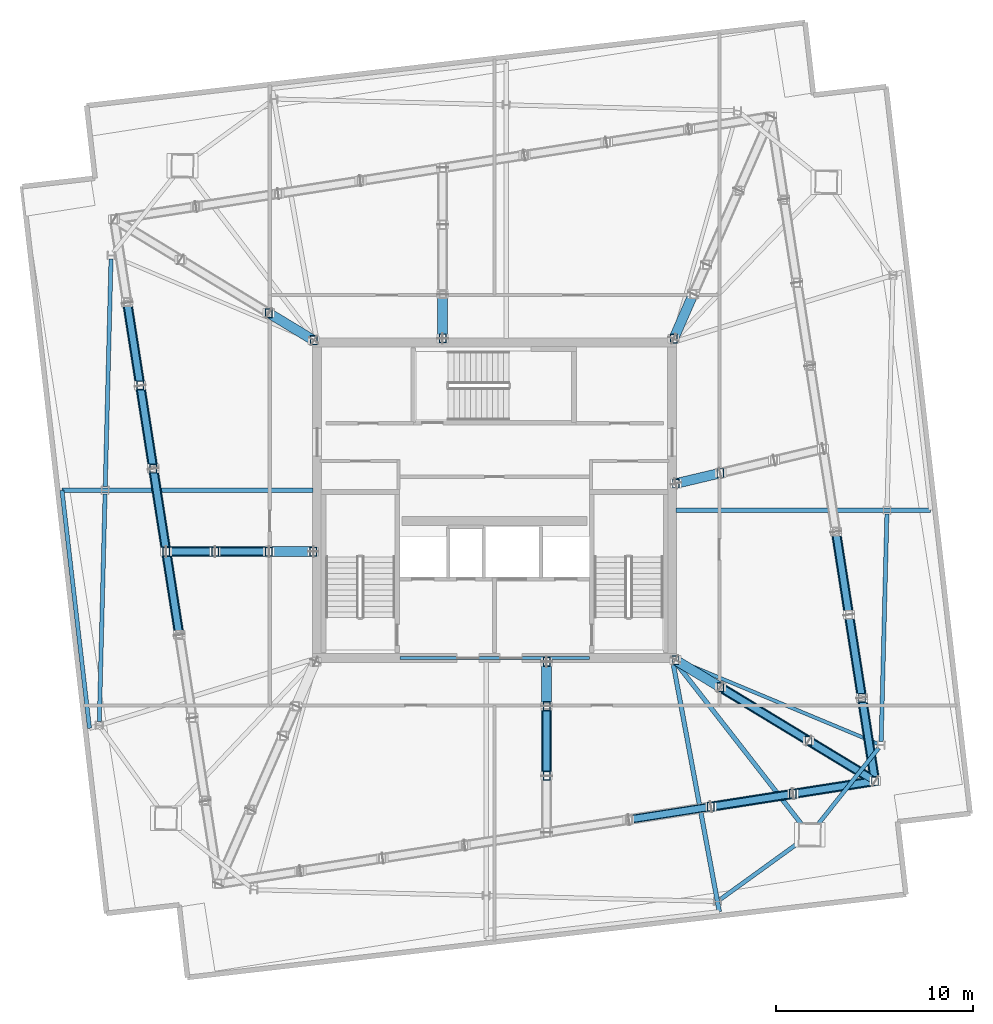
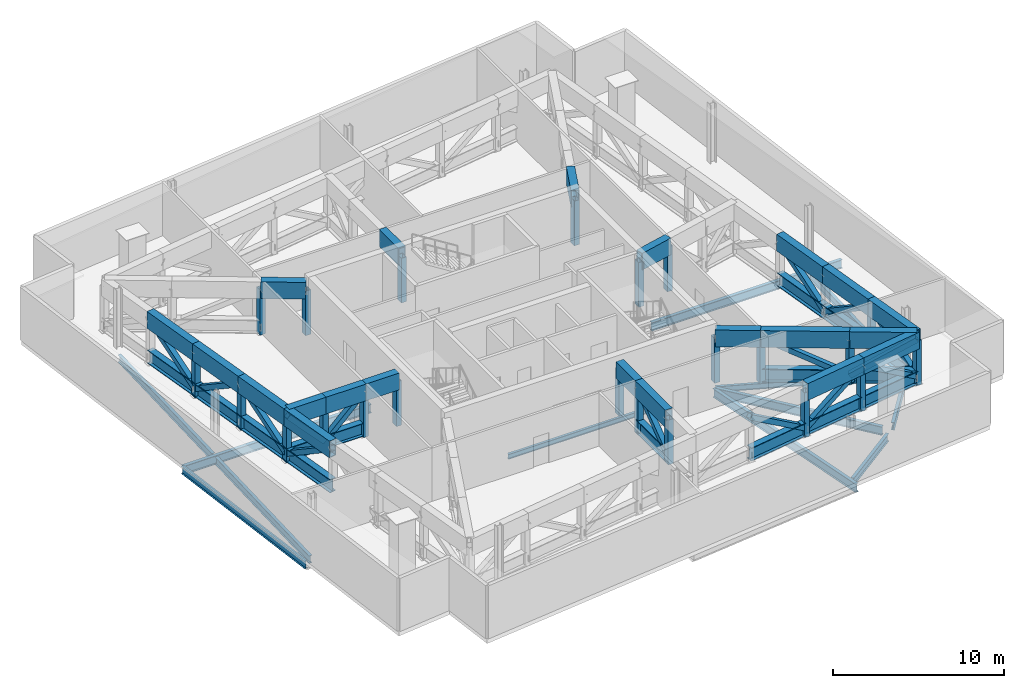
# One storey, part 2 of 13: 73 members, 12 beams.
"""IFC4 building model written with IfcOpenShell, lengths in metres."""

import ifcopenshell
import ifcopenshell.guid

model = None  # the IFC model being written
_history = None  # IfcOwnerHistory: only IFC2X3 demands one
_inside = {}  # id of a spatial element -> (the spatial element, [elements in it])
_under = {}  # id of a project, library or spatial element -> (it, [spatial elements below it])
_declared = {}  # id of a project -> (the project, [libraries it declares])
_typed = {}  # id of a type object -> (the type object, [elements of that type])
_made_of = {}  # id of a material, layer set ... -> (it, [elements and type objects made of it])


def new_model(schema):
    """Start an empty IFC model of exactly this schema.

    Asked for "IFC4X3", IfcOpenShell would pick the latest addendum, in which some entities
    have other attributes; the version numbers below select the first issue.
    IFC2X3 requires an IfcOwnerHistory on every rooted entity: one is made here for all.
    """
    global model, _history
    if schema == "IFC4X3":
        model = ifcopenshell.file(schema_version=(4, 3, 0, 0))
    else:
        model = ifcopenshell.file(schema=schema)
    _inside.clear()
    _under.clear()
    _declared.clear()
    _typed.clear()
    _made_of.clear()
    _history = None
    if model.schema == "IFC2X3":
        org = make("IfcOrganization", Name="unknown")
        user = make(
            "IfcPersonAndOrganization",
            ThePerson=make("IfcPerson", FamilyName="unknown"),
            TheOrganization=org,
        )
        app = make(
            "IfcApplication",
            ApplicationDeveloper=org,
            Version="unknown",
            ApplicationFullName="unknown",
            ApplicationIdentifier="unknown",
        )
        _history = make(
            "IfcOwnerHistory",
            OwningUser=user,
            OwningApplication=app,
            ChangeAction="ADDED",
            CreationDate=0,
        )
    return model


def make(cls, **values):
    """One entity of the class cls with the attributes given. An attribute that is None is left unset."""
    return model.create_entity(
        cls, **{name: value for name, value in values.items() if value is not None}
    )


def rooted(cls, **values):
    """An entity with a GlobalId (a new one), such as an element, a storey or a relation."""
    return make(cls, GlobalId=ifcopenshell.guid.new(), OwnerHistory=_history, **values)


def si_unit(unit_type, name, prefix=None):
    """IfcSIUnit, for example si_unit("LENGTHUNIT", "METRE", prefix="MILLI")."""
    return make("IfcSIUnit", UnitType=unit_type, Prefix=prefix, Name=name)


def assignment(units):
    """IfcUnitAssignment: the units of a project."""
    return None if units is None else make("IfcUnitAssignment", Units=units)


def point(xyz):
    """IfcCartesianPoint."""
    return None if xyz is None else make("IfcCartesianPoint", Coordinates=xyz)


def direction(xyz):
    """IfcDirection."""
    return None if xyz is None else make("IfcDirection", DirectionRatios=xyz)


def frame(location, z_axis=None, x_axis=None):
    """IfcAxis2Placement3D, a coordinate frame: its origin and axes. An axis left out is left unset."""
    return make(
        "IfcAxis2Placement3D",
        Location=point(location),
        Axis=direction(z_axis),
        RefDirection=direction(x_axis),
    )


def frame_2d(location, x_axis=None):
    """IfcAxis2Placement2D, a coordinate frame in the plane: its origin and x axis."""
    return make(
        "IfcAxis2Placement2D", Location=point(location), RefDirection=direction(x_axis)
    )


def origin():
    """The frame at (0, 0, 0) with its axes left unset."""
    return frame((0.0, 0.0, 0.0))


def origin_2d():
    """The frame at (0, 0) in the plane with its x axis left unset."""
    return frame_2d((0.0, 0.0))


def place(relative_to, where):
    """IfcLocalPlacement: puts the frame where relative to a parent placement (None: the world)."""
    return make(
        "IfcLocalPlacement", PlacementRelTo=relative_to, RelativePlacement=where
    )


def context(
    kind, dimensions, precision=None, world=None, true_north=None, identifier=None
):
    """IfcGeometricRepresentationContext, for example the 3D "Model" context."""
    return make(
        "IfcGeometricRepresentationContext",
        ContextIdentifier=identifier,
        ContextType=kind,
        CoordinateSpaceDimension=dimensions,
        Precision=precision,
        WorldCoordinateSystem=world,
        TrueNorth=true_north,
    )


def subcontext(parent, identifier, kind, view, scale=None):
    """IfcGeometricRepresentationSubContext, for example "Body" below "Model"."""
    return make(
        "IfcGeometricRepresentationSubContext",
        ContextIdentifier=identifier,
        ContextType=kind,
        ParentContext=parent,
        TargetScale=scale,
        TargetView=view,
    )


def project(units=None, contexts=None):
    """IfcProject with its units and contexts."""
    return rooted(
        "IfcProject",
        Name="project",
        RepresentationContexts=contexts,
        UnitsInContext=assignment(units),
    )


def spatial(cls, under=None, at=None, **own):
    """A site, building, storey or space (cls), placed at a placement, below another one or the project."""
    s = rooted(cls, ObjectPlacement=at, **own)
    if under is not None:
        _under.setdefault(under.id(), (under, []))[1].append(s)
    return s


def profile(cls, at=None, kind="AREA", **sizes):
    """A parametric profile (cls). Its sizes go by their IFC names, for example OverallWidth=200.0."""
    return make(cls, ProfileType=kind, Position=at, **sizes)


def hollow_rectangle(**sizes):
    """IfcRectangleHollowProfileDef."""
    return profile("IfcRectangleHollowProfileDef", **sizes)


def i_section(**sizes):
    """IfcIShapeProfileDef."""
    return profile("IfcIShapeProfileDef", **sizes)


def extrude(swept, where, along, depth):
    """IfcExtrudedAreaSolid: the profile swept, set in the frame where, extruded along a direction by depth."""
    return make(
        "IfcExtrudedAreaSolid",
        SweptArea=swept,
        Position=where,
        ExtrudedDirection=direction(along),
        Depth=depth,
    )


def shape(context_of_items, identifier, shape_type, items):
    """IfcShapeRepresentation: the items that make up one representation, for example the "Body"."""
    return make(
        "IfcShapeRepresentation",
        ContextOfItems=context_of_items,
        RepresentationIdentifier=identifier,
        RepresentationType=shape_type,
        Items=items,
    )


def material(Name=None, Category=None):
    """IfcMaterial."""
    return make("IfcMaterial", Name=Name, Category=Category)


def material_profile(
    of_material, cross_section, Name=None, Category=None, Priority=None
):
    """IfcMaterialProfile: a cross section and its material."""
    return make(
        "IfcMaterialProfile",
        Name=Name,
        Material=of_material,
        Profile=cross_section,
        Priority=Priority,
        Category=Category,
    )


def profile_set(profiles, Name=None, composite=None):
    """IfcMaterialProfileSet."""
    return make(
        "IfcMaterialProfileSet",
        Name=Name,
        MaterialProfiles=profiles,
        CompositeProfile=composite,
    )


def made_of(thing, what):
    """Note that an element or type object is made of a material, layer set ...; save() writes the relation."""
    if what is not None:
        _made_of.setdefault(what.id(), (what, []))[1].append(thing)
    return thing


def type_object(cls, material=None, **own):
    """A type object (cls), such as IfcWallType, which elements share."""
    return made_of(rooted(cls, **own), material)


def element(
    cls,
    number,
    at=None,
    inside=None,
    cuts=None,
    type_object=None,
    material=None,
    context=None,
    identifier="Body",
    shape_type=None,
    held_by="IfcProductDefinitionShape",
    body=None,
    shapes=None,
    **own,
):
    """One element of the class cls, such as IfcWall. Its Tag is "e" and its number.

    at: its placement. inside: the storey or other place that contains it. cuts: it is an
    opening in that element (IfcRelVoidsElement). A single representation is given by context,
    identifier, shape_type and body (its items); several are given by shapes. held_by: the class
    of the entity that holds the representations. save() writes the other relations.
    """
    e = rooted(cls, Tag="e%d" % number, ObjectPlacement=at, **own)
    if body is not None:
        shapes = [shape(context, identifier, shape_type, body)]
    if shapes is not None:
        e.Representation = make(held_by, Representations=shapes)
    if inside is not None:
        _inside.setdefault(inside.id(), (inside, []))[1].append(e)
    if cuts is not None:
        rooted(
            "IfcRelVoidsElement", RelatingBuildingElement=cuts, RelatedOpeningElement=e
        )
    if type_object is not None:
        _typed.setdefault(type_object.id(), (type_object, []))[1].append(e)
    return made_of(e, material)


def aggregate(whole, parts):
    """IfcRelAggregates: a whole, such as a stair, and the parts it consists of."""
    return rooted("IfcRelAggregates", RelatingObject=whole, RelatedObjects=parts)


def save(model, path):
    """Write the relations noted so far, then the file.

    IfcRelAggregates (storeys below a building ...), IfcRelContainedInSpatialStructure (elements
    in a storey), IfcRelDefinesByType, IfcRelAssociatesMaterial and IfcRelDeclares: one each for
    every whole, place, type object, material and project.
    """
    for whole, parts in _under.values():
        aggregate(whole, parts)
    for where, things in _inside.values():
        rooted(
            "IfcRelContainedInSpatialStructure",
            RelatedElements=things,
            RelatingStructure=where,
        )
    for kind, things in _typed.values():
        rooted("IfcRelDefinesByType", RelatedObjects=things, RelatingType=kind)
    for what, things in _made_of.values():
        rooted("IfcRelAssociatesMaterial", RelatedObjects=things, RelatingMaterial=what)
    for by, libraries in _declared.values():
        rooted("IfcRelDeclares", RelatingContext=by, RelatedDefinitions=libraries)
    model.write(path)


model = new_model("IFC4")

# Units and contexts
model_context = context("Model", 3, precision=1e-05, world=origin(), true_north=direction((0.0, 1.0)))
body_context = subcontext(model_context, "Body", "Model", "MODEL_VIEW")
ifc_project = project(units=[si_unit("LENGTHUNIT", "METRE"), si_unit("AREAUNIT", "SQUARE_METRE"), si_unit("VOLUMEUNIT", "CUBIC_METRE"), si_unit("PLANEANGLEUNIT", "RADIAN"), si_unit("MASSUNIT", "GRAM", prefix="KILO")], contexts=[model_context])

# Site, building, storey
site_placement = place(None, origin())
site = spatial("IfcSite", under=ifc_project, at=site_placement, CompositionType="ELEMENT")
building_placement = place(site_placement, origin())
building = spatial("IfcBuilding", under=site, at=building_placement, Name="Haldenkirk Collegiate Tower", CompositionType="ELEMENT")
storey_placement = place(building_placement, frame((0.0, 0.0, 352.199951171875)))
storey = spatial("IfcBuildingStorey", under=building, at=storey_placement, Name="L89", CompositionType="ELEMENT", Elevation=352.199951171875)

# Beams
ifc_material_1 = material(Name="Steel ASTM A992 Grade 50", Category="steel")
ifc_material_profile_1 = material_profile(ifc_material_1, i_section(OverallWidth=0.22998046875, OverallDepth=0.616943359375, WebThickness=0.01318359375, FlangeThickness=0.022216796875, at=origin_2d()), Name="W24X94")
ifc_profile_set_1 = profile_set([ifc_material_profile_1], Name="Steel ASTM A992 Grade 50")
beam_type_1 = type_object("IfcBeamType", Name="BM-GIRDER-W24X94", PredefinedType="BEAM", material=ifc_profile_set_1)
beam_1_placement = place(storey_placement, frame((51.635009765625, 9.478271484375, -0.70849609375), z_axis=(-0.614347328176, 0.789035715518, 0.0), x_axis=(-0.789035715518, -0.614347328176, 0.0)))
element("IfcBeam", 1, at=beam_1_placement, inside=storey, type_object=beam_type_1, Name="L89 primary floor girder 01", PredefinedType="BEAM", context=body_context, shape_type="SweptSolid", body=[
    extrude(i_section(OverallWidth=0.22998046875, OverallDepth=0.616943359375, WebThickness=0.01318359375, FlangeThickness=0.022216796875, at=origin_2d()), origin(), (0.0, 0.0, 1.0), 10.594970703125),
])
beam_2_placement = place(storey_placement, frame((58.109375, 25.496337890625, -0.70849609375), z_axis=(-1.0, 0.0, 0.0), x_axis=(0.0, -1.0, 0.0)))
element("IfcBeam", 2, at=beam_2_placement, inside=storey, type_object=beam_type_1, Name="L89 primary floor girder 06", PredefinedType="BEAM", context=body_context, shape_type="SweptSolid", body=[
    extrude(i_section(OverallWidth=0.22998046875, OverallDepth=0.616943359375, WebThickness=0.01318359375, FlangeThickness=0.022216796875, at=origin_2d()), origin(), (0.0, 0.0, 1.0), 12.904296875),
])
beam_3_placement = place(storey_placement, frame((14.067138671875, 26.499755859375, -0.70849609375), z_axis=(1.0, 0.0, 0.0), x_axis=(0.0, 1.0, 0.0)))
element("IfcBeam", 3, at=beam_3_placement, inside=storey, type_object=beam_type_1, Name="L89 primary floor girder 12", PredefinedType="BEAM", context=body_context, shape_type="SweptSolid", body=[
    extrude(i_section(OverallWidth=0.22998046875, OverallDepth=0.616943359375, WebThickness=0.01318359375, FlangeThickness=0.022216796875, at=origin_2d()), origin(), (0.0, 0.0, 1.0), 12.727783203125),
])
beam_4_placement = place(storey_placement, frame((47.39306640625, 5.141357421875, -0.70849609375), z_axis=(-0.182955655708, 0.983121166512, 0.0), x_axis=(-0.983121166512, -0.182955655708, 0.0)))
element("IfcBeam", 4, at=beam_4_placement, inside=storey, type_object=beam_type_1, Name="L89 primary floor girder 16", PredefinedType="BEAM", context=body_context, shape_type="SweptSolid", body=[
    extrude(i_section(OverallWidth=0.22998046875, OverallDepth=0.616943359375, WebThickness=0.01318359375, FlangeThickness=0.022216796875, at=origin_2d()), origin(), (0.0, 0.0, 1.0), 12.87451171875),
])
ifc_material_profile_2 = material_profile(ifc_material_1, i_section(OverallWidth=0.177978515625, OverallDepth=0.406005859375, WebThickness=0.0078125, FlangeThickness=0.0126953125, at=origin_2d()), Name="W16X40")
ifc_profile_set_2 = profile_set([ifc_material_profile_2], Name="Steel ASTM A992 Grade 50")
beam_type_2 = type_object("IfcBeamType", Name="BM-JOIST-W16X40", PredefinedType="JOIST", material=ifc_profile_set_2)
beam_5_placement = place(storey_placement, frame((55.418701171875, 13.656494140625, -0.60302734375), z_axis=(-0.923001303889, 0.384796820438, 0.0), x_axis=(-0.384796820438, -0.923001303889, 0.0)))
element("IfcBeam", 5, at=beam_5_placement, inside=storey, type_object=beam_type_2, Name="L89 composite floor joist 05", PredefinedType="JOIST", context=body_context, shape_type="SweptSolid", body=[
    extrude(i_section(OverallWidth=0.177978515625, OverallDepth=0.406005859375, WebThickness=0.0078125, FlangeThickness=0.0126953125, at=origin_2d()), origin(), (0.0, 0.0, 1.0), 11.082763671875),
])
ifc_material_profile_3 = material_profile(ifc_material_1, i_section(OverallWidth=0.1708984375, OverallDepth=0.35595703125, WebThickness=0.007080078125, FlangeThickness=0.01171875, at=origin_2d()), Name="W14X34")
ifc_profile_set_3 = profile_set([ifc_material_profile_3], Name="Steel ASTM A992 Grade 50")
beam_type_3 = type_object("IfcBeamType", Name="BM-LINTEL-W14X34", PredefinedType="LINTEL", material=ifc_profile_set_3)
beam_6_placement = place(storey_placement, frame((31.199951171875, 18.0, -0.577880859375), z_axis=(1.0, 0.0, 0.0), x_axis=(0.0, 1.0, 0.0)))
element("IfcBeam", 6, at=beam_6_placement, inside=storey, type_object=beam_type_3, Name="L89 south core coupling lintel", PredefinedType="LINTEL", context=body_context, shape_type="SweptSolid", body=[
    extrude(i_section(OverallWidth=0.1708984375, OverallDepth=0.35595703125, WebThickness=0.007080078125, FlangeThickness=0.01171875, at=origin_2d()), origin(), (0.0, 0.0, 1.0), 9.60009765625),
])
ifc_material_profile_4 = material_profile(ifc_material_1, i_section(OverallWidth=0.2099609375, OverallDepth=0.537109375, WebThickness=0.010986328125, FlangeThickness=0.017333984375, at=origin_2d()), Name="W21X68")
ifc_profile_set_4 = profile_set([ifc_material_profile_4], Name="Steel ASTM A992 Grade 50")
beam_type_4 = type_object("IfcBeamType", Name="BM-SPANDREL-W21X68", PredefinedType="SPANDREL", material=ifc_profile_set_4)
beam_7_placement = place(storey_placement, frame((52.321533203125, 9.474609375, -0.66845703125), z_axis=(0.622700032294, 0.782460650628, 0.0), x_axis=(-0.782460650628, 0.622700032294, 0.0)))
element("IfcBeam", 7, at=beam_7_placement, inside=storey, type_object=beam_type_4, Name="L89 perimeter spandrel beam 01", PredefinedType="SPANDREL", context=body_context, shape_type="SweptSolid", body=[
    extrude(i_section(OverallWidth=0.2099609375, OverallDepth=0.537109375, WebThickness=0.010986328125, FlangeThickness=0.017333984375, at=origin_2d()), origin(), (0.0, 0.0, 1.0), 5.064453125),
])
for number, where, z_axis, x_axis, name in (
    (8, (55.596923828125, 13.772216796875, -0.66845703125), (0.025302458902, 0.999679841536, 0.0), (-0.999679841536, 0.025302458902, 0.0), "L89 perimeter spandrel beam 02"),
    (9, (16.552978515625, 38.22412109375, -0.66845703125), (-0.025302458902, -0.999679841536, 0.0), (0.999679841536, -0.025302458902, 0.0), "L89 perimeter spandrel beam 10"),
):
    element("IfcBeam", number, at=place(storey_placement, frame(where, z_axis=z_axis, x_axis=x_axis)), inside=storey, type_object=beam_type_4, Name=name, PredefinedType="SPANDREL", context=body_context, shape_type="SweptSolid", body=[
        extrude(i_section(OverallWidth=0.2099609375, OverallDepth=0.537109375, WebThickness=0.010986328125, FlangeThickness=0.017333984375, at=origin_2d()), origin(), (0.0, 0.0, 1.0), 11.5400390625),
    ])
beam_8_placement = place(storey_placement, frame((16.25146484375, 26.31201171875, -0.66845703125), z_axis=(-0.02528078186, -0.999680389959, 0.0), x_axis=(0.999680389959, -0.02528078186, 0.0)))
element("IfcBeam", 10, at=beam_8_placement, inside=storey, type_object=beam_type_4, Name="L89 perimeter spandrel beam 11", PredefinedType="SPANDREL", context=body_context, shape_type="SweptSolid", body=[
    extrude(i_section(OverallWidth=0.2099609375, OverallDepth=0.537109375, WebThickness=0.010986328125, FlangeThickness=0.017333984375, at=origin_2d()), origin(), (0.0, 0.0, 1.0), 11.540283203125),
])
beam_9_placement = place(storey_placement, frame((47.44921875, 5.767578125, -0.66845703125), z_axis=(0.810388642646, 0.585892693136, 0.0), x_axis=(-0.585892693136, 0.810388642646, 0.0)))
element("IfcBeam", 11, at=beam_9_placement, inside=storey, type_object=beam_type_4, Name="L89 perimeter spandrel beam 16", PredefinedType="SPANDREL", context=body_context, shape_type="SweptSolid", body=[
    extrude(i_section(OverallWidth=0.2099609375, OverallDepth=0.537109375, WebThickness=0.010986328125, FlangeThickness=0.017333984375, at=origin_2d()), origin(), (0.0, 0.0, 1.0), 5.03076171875),
])
beam_10_placement = place(storey_placement, frame((14.067138671875, 26.499755859375, -0.66845703125), z_axis=(0.11494915472, -0.99337137659, 0.0), x_axis=(0.99337137659, 0.11494915472, 0.0)))
element("IfcBeam", 12, at=beam_10_placement, inside=storey, type_object=beam_type_4, Name="L89 outer facade edge beam 3", PredefinedType="SPANDREL", context=body_context, shape_type="SweptSolid", body=[
    extrude(i_section(OverallWidth=0.2099609375, OverallDepth=0.537109375, WebThickness=0.010986328125, FlangeThickness=0.017333984375, at=origin_2d()), origin(), (0.0, 0.0, 1.0), 12.14453125),
])

# Members
ifc_material_2 = material(Name="Steel ASTM A572 Grade 50", Category="steel")
ifc_material_profile_5 = material_profile(ifc_material_2, hollow_rectangle(XDim=0.5, YDim=1.199951171875, WallThickness=0.050048828125, at=origin_2d()), Name="BOX1200X500X50")
ifc_profile_set_5 = profile_set([ifc_material_profile_5], Name="Steel ASTM A572 Grade 50")
member_type_1 = type_object("IfcMemberType", Name="MBR-CHORD-BOX1200", PredefinedType="CHORD", material=ifc_profile_set_5)
member_1_placement = place(storey_placement, frame((45.1708984375, 17.896240234375, 3.199951171875), z_axis=(0.855058774994, -0.51853109001, 0.0), x_axis=(0.51853109001, 0.855058774994, 0.0)))
element("IfcMember", 13, at=member_1_placement, inside=storey, type_object=member_type_1, Name="Outrigger Truss L89-1 top chord 1", PredefinedType="CHORD", context=body_context, shape_type="SweptSolid", body=[
    extrude(hollow_rectangle(XDim=0.5, YDim=1.199951171875, WallThickness=0.050048828125, at=origin_2d()), origin(), (0.0, 0.0, 1.0), 2.665283203125),
])
member_2_placement = place(storey_placement, frame((47.449951171875, 16.51416015625, 3.199951171875), z_axis=(0.855023784743, -0.51858878461, 0.0), x_axis=(0.51858878461, 0.855023784743, 0.0)))
element("IfcMember", 14, at=member_2_placement, inside=storey, type_object=member_type_1, Name="Outrigger Truss L89-1 top chord 2", PredefinedType="CHORD", context=body_context, shape_type="SweptSolid", body=[
    extrude(hollow_rectangle(XDim=0.5, YDim=1.199951171875, WallThickness=0.050048828125, at=origin_2d()), origin(), (0.0, 0.0, 1.0), 5.220458984375),
])
member_3_placement = place(storey_placement, frame((51.91357421875, 13.806884765625, 3.199951171875), z_axis=(0.85503561171, -0.518569284385, 0.0), x_axis=(0.518569284385, 0.85503561171, 0.0)))
element("IfcMember", 15, at=member_3_placement, inside=storey, type_object=member_type_1, Name="Outrigger Truss L89-1 top chord 3", PredefinedType="CHORD", context=body_context, shape_type="SweptSolid", body=[
    extrude(hollow_rectangle(XDim=0.5, YDim=1.199951171875, WallThickness=0.050048828125, at=origin_2d()), origin(), (0.0, 0.0, 1.0), 3.94287109375),
])
member_4_placement = place(storey_placement, frame((45.194580078125, 26.845947265625, 3.199951171875), z_axis=(0.973197045881, 0.22997284598, 0.0), x_axis=(-0.22997284598, 0.973197045881, 0.0)))
element("IfcMember", 16, at=member_4_placement, inside=storey, type_object=member_type_1, Name="Outrigger Truss L89-2 top chord 1", PredefinedType="CHORD", context=body_context, shape_type="SweptSolid", body=[
    extrude(hollow_rectangle(XDim=0.5, YDim=1.199951171875, WallThickness=0.050048828125, at=origin_2d()), origin(), (0.0, 0.0, 1.0), 2.3173828125),
])
member_5_placement = place(storey_placement, frame((45.080078125, 34.18310546875, 3.199951171875), z_axis=(0.400803305345, 0.91616412854, 0.0), x_axis=(-0.91616412854, 0.400803305345, 0.0)))
element("IfcMember", 17, at=member_5_placement, inside=storey, type_object=member_type_1, Name="Outrigger Truss L89-3 top chord 1", PredefinedType="CHORD", context=body_context, shape_type="SweptSolid", body=[
    extrude(hollow_rectangle(XDim=0.5, YDim=1.199951171875, WallThickness=0.050048828125, at=origin_2d()), origin(), (0.0, 0.0, 1.0), 2.474365234375),
])
member_6_placement = place(storey_placement, frame((33.3623046875, 34.199951171875, 3.199951171875), z_axis=(0.0, 1.0, 0.0), x_axis=(-1.0, 0.0, 0.0)))
element("IfcMember", 18, at=member_6_placement, inside=storey, type_object=member_type_1, Name="Outrigger Truss L89-4 top chord 1", PredefinedType="CHORD", context=body_context, shape_type="SweptSolid", body=[
    extrude(hollow_rectangle(XDim=0.5, YDim=1.199951171875, WallThickness=0.050048828125, at=origin_2d()), origin(), (0.0, 0.0, 1.0), 2.25),
])
member_7_placement = place(storey_placement, frame((26.8291015625, 34.103759765625, 3.199951171875), z_axis=(-0.855058774994, 0.51853109001, 0.0), x_axis=(-0.51853109001, -0.855058774994, 0.0)))
element("IfcMember", 19, at=member_7_placement, inside=storey, type_object=member_type_1, Name="Outrigger Truss L89-5 top chord 1", PredefinedType="CHORD", context=body_context, shape_type="SweptSolid", body=[
    extrude(hollow_rectangle(XDim=0.5, YDim=1.199951171875, WallThickness=0.050048828125, at=origin_2d()), origin(), (0.0, 0.0, 1.0), 2.665283203125),
])
member_8_placement = place(storey_placement, frame((26.800048828125, 23.39306640625, 3.199951171875), z_axis=(-1.0, 0.0, 0.0), x_axis=(0.0, -1.0, 0.0)))
element("IfcMember", 20, at=member_8_placement, inside=storey, type_object=member_type_1, Name="Outrigger Truss L89-6 top chord 1", PredefinedType="CHORD", context=body_context, shape_type="SweptSolid", body=[
    extrude(hollow_rectangle(XDim=0.5, YDim=1.199951171875, WallThickness=0.050048828125, at=origin_2d()), origin(), (0.0, 0.0, 1.0), 2.25),
])
member_9_placement = place(storey_placement, frame((24.550048828125, 23.39306640625, 3.199951171875), z_axis=(-1.0, 0.0, 0.0), x_axis=(0.0, -1.0, 0.0)))
element("IfcMember", 21, at=member_9_placement, inside=storey, type_object=member_type_1, Name="Outrigger Truss L89-6 top chord 2", PredefinedType="CHORD", context=body_context, shape_type="SweptSolid", body=[
    extrude(hollow_rectangle(XDim=0.5, YDim=1.199951171875, WallThickness=0.050048828125, at=origin_2d()), origin(), (0.0, 0.0, 1.0), 2.71484375),
])
member_10_placement = place(storey_placement, frame((21.835205078125, 23.39306640625, 3.199951171875), z_axis=(-1.0, 0.0, 0.0), x_axis=(0.0, -1.0, 0.0)))
element("IfcMember", 22, at=member_10_placement, inside=storey, type_object=member_type_1, Name="Outrigger Truss L89-6 top chord 3", PredefinedType="CHORD", context=body_context, shape_type="SweptSolid", body=[
    extrude(hollow_rectangle(XDim=0.5, YDim=1.199951171875, WallThickness=0.050048828125, at=origin_2d()), origin(), (0.0, 0.0, 1.0), 2.482421875),
])
member_11_placement = place(storey_placement, frame((38.6376953125, 17.800048828125, 3.199951171875), z_axis=(0.0, -1.0, 0.0), x_axis=(1.0, 0.0, 0.0)))
element("IfcMember", 23, at=member_11_placement, inside=storey, type_object=member_type_1, Name="Outrigger Truss L89-8 top chord 1", PredefinedType="CHORD", context=body_context, shape_type="SweptSolid", body=[
    extrude(hollow_rectangle(XDim=0.5, YDim=1.199951171875, WallThickness=0.050048828125, at=origin_2d()), origin(), (0.0, 0.0, 1.0), 2.25),
])
member_12_placement = place(storey_placement, frame((38.6376953125, 15.550048828125, 3.199951171875), z_axis=(0.0, -1.0, 0.0), x_axis=(1.0, 0.0, 0.0)))
element("IfcMember", 24, at=member_12_placement, inside=storey, type_object=member_type_1, Name="Outrigger Truss L89-8 top chord 2", PredefinedType="CHORD", context=body_context, shape_type="SweptSolid", body=[
    extrude(hollow_rectangle(XDim=0.5, YDim=1.199951171875, WallThickness=0.050048828125, at=origin_2d()), origin(), (0.0, 0.0, 1.0), 3.51318359375),
])
for number, where, z_axis, x_axis, name in (
    (25, (55.284912109375, 11.76220703125, 3.199951171875), (-0.154703604037, 0.987960927819, 0.0), (-0.987960927819, -0.154703604037, 0.0), "Belt Truss L89-1 top chord 1"),
    (26, (54.62548828125, 15.973388671875, 3.199951171875), (-0.154703604037, 0.987960927819, 0.0), (-0.987960927819, -0.154703604037, 0.0), "Belt Truss L89-1 top chord 2"),
    (27, (53.966064453125, 20.1845703125, 3.199951171875), (-0.154703604037, 0.987960927819, 0.0), (-0.987960927819, -0.154703604037, 0.0), "Belt Truss L89-1 top chord 3"),
    (28, (17.37451171875, 36.026611328125, 3.199951171875), (0.154703604037, -0.987960927819, 0.0), (0.987960927819, 0.154703604037, 0.0), "Belt Truss L89-5 top chord 2"),
    (29, (18.033935546875, 31.8154296875, 3.199951171875), (0.154759508904, -0.987952172124, 0.0), (0.987952172124, 0.154759508904, 0.0), "Belt Truss L89-5 top chord 3"),
    (30, (18.693603515625, 27.604248046875, 3.199951171875), (0.154647697685, -0.987969680507, 0.0), (0.987969680507, 0.154647697685, 0.0), "Belt Truss L89-5 top chord 4"),
    (31, (19.352783203125, 23.39306640625, 3.199951171875), (0.154759508904, -0.987952172124, 0.0), (0.987952172124, 0.154759508904, 0.0), "Belt Truss L89-6 top chord 1"),
):
    element("IfcMember", number, at=place(storey_placement, frame(where, z_axis=z_axis, x_axis=x_axis)), inside=storey, type_object=member_type_1, Name=name, PredefinedType="CHORD", context=body_context, shape_type="SweptSolid", body=[
        extrude(hollow_rectangle(XDim=0.5, YDim=1.199951171875, WallThickness=0.050048828125, at=origin_2d()), origin(), (0.0, 0.0, 1.0), 4.262451171875),
    ])
for number, where, z_axis, x_axis, name in (
    (32, (46.961181640625, 10.458740234375, 3.199951171875), (0.98795533843, 0.154739294516, 0.0), (-0.154739294516, 0.98795533843, 0.0), "Belt Truss L89-8 top chord 3"),
    (33, (51.123046875, 11.110595703125, 3.199951171875), (0.987964196759, 0.154682726647, 0.0), (-0.154682726647, 0.987964196759, 0.0), "Belt Truss L89-8 top chord 4"),
):
    element("IfcMember", number, at=place(storey_placement, frame(where, z_axis=z_axis, x_axis=x_axis)), inside=storey, type_object=member_type_1, Name=name, PredefinedType="CHORD", context=body_context, shape_type="SweptSolid", body=[
        extrude(hollow_rectangle(XDim=0.5, YDim=1.199951171875, WallThickness=0.050048828125, at=origin_2d()), origin(), (0.0, 0.0, 1.0), 4.212646484375),
    ])
ifc_material_3 = material(Name="Steel ASTM A913 Grade 65", Category="steel")
ifc_material_profile_6 = material_profile(ifc_material_3, i_section(OverallWidth=0.423095703125, OverallDepth=0.947998046875, WebThickness=0.02392578125, FlangeThickness=0.042724609375, at=origin_2d()), Name="W36X302")
ifc_profile_set_6 = profile_set([ifc_material_profile_6], Name="Steel ASTM A913 Grade 65")
member_type_2 = type_object("IfcMemberType", Name="MBR-CHORD-W36X302", PredefinedType="CHORD", material=ifc_profile_set_6)
member_13_placement = place(storey_placement, frame((47.449951171875, 16.51416015625, 0.550048828125), z_axis=(0.855023784743, -0.51858878461, 0.0), x_axis=(0.51858878461, 0.855023784743, 0.0)))
element("IfcMember", 34, at=member_13_placement, inside=storey, type_object=member_type_2, Name="Outrigger Truss L89-1 bottom chord 2", PredefinedType="CHORD", context=body_context, shape_type="SweptSolid", body=[
    extrude(i_section(OverallWidth=0.423095703125, OverallDepth=0.947998046875, WebThickness=0.02392578125, FlangeThickness=0.042724609375, at=origin_2d()), origin(), (0.0, 0.0, 1.0), 5.220458984375),
])
member_14_placement = place(storey_placement, frame((51.91357421875, 13.806884765625, 0.550048828125), z_axis=(0.85503561171, -0.518569284385, 0.0), x_axis=(0.518569284385, 0.85503561171, 0.0)))
element("IfcMember", 35, at=member_14_placement, inside=storey, type_object=member_type_2, Name="Outrigger Truss L89-1 bottom chord 3", PredefinedType="CHORD", context=body_context, shape_type="SweptSolid", body=[
    extrude(i_section(OverallWidth=0.423095703125, OverallDepth=0.947998046875, WebThickness=0.02392578125, FlangeThickness=0.042724609375, at=origin_2d()), origin(), (0.0, 0.0, 1.0), 3.94287109375),
])
member_15_placement = place(storey_placement, frame((24.550048828125, 23.39306640625, 0.550048828125), z_axis=(-1.0, 0.0, 0.0), x_axis=(0.0, -1.0, 0.0)))
element("IfcMember", 36, at=member_15_placement, inside=storey, type_object=member_type_2, Name="Outrigger Truss L89-6 bottom chord 2", PredefinedType="CHORD", context=body_context, shape_type="SweptSolid", body=[
    extrude(i_section(OverallWidth=0.423095703125, OverallDepth=0.947998046875, WebThickness=0.02392578125, FlangeThickness=0.042724609375, at=origin_2d()), origin(), (0.0, 0.0, 1.0), 2.71484375),
])
member_16_placement = place(storey_placement, frame((21.835205078125, 23.39306640625, 0.550048828125), z_axis=(-1.0, 0.0, 0.0), x_axis=(0.0, -1.0, 0.0)))
element("IfcMember", 37, at=member_16_placement, inside=storey, type_object=member_type_2, Name="Outrigger Truss L89-6 bottom chord 3", PredefinedType="CHORD", context=body_context, shape_type="SweptSolid", body=[
    extrude(i_section(OverallWidth=0.423095703125, OverallDepth=0.947998046875, WebThickness=0.02392578125, FlangeThickness=0.042724609375, at=origin_2d()), origin(), (0.0, 0.0, 1.0), 2.482421875),
])
member_17_placement = place(storey_placement, frame((38.6376953125, 15.550048828125, 0.550048828125), z_axis=(0.0, -1.0, 0.0), x_axis=(1.0, 0.0, 0.0)))
element("IfcMember", 38, at=member_17_placement, inside=storey, type_object=member_type_2, Name="Outrigger Truss L89-8 bottom chord 2", PredefinedType="CHORD", context=body_context, shape_type="SweptSolid", body=[
    extrude(i_section(OverallWidth=0.423095703125, OverallDepth=0.947998046875, WebThickness=0.02392578125, FlangeThickness=0.042724609375, at=origin_2d()), origin(), (0.0, 0.0, 1.0), 3.51318359375),
])
for number, where, z_axis, x_axis, name in (
    (39, (55.284912109375, 11.76220703125, 0.550048828125), (-0.154703604037, 0.987960927819, 0.0), (-0.987960927819, -0.154703604037, 0.0), "Belt Truss L89-1 bottom chord 1"),
    (40, (54.62548828125, 15.973388671875, 0.550048828125), (-0.154703604037, 0.987960927819, 0.0), (-0.987960927819, -0.154703604037, 0.0), "Belt Truss L89-1 bottom chord 2"),
    (41, (53.966064453125, 20.1845703125, 0.550048828125), (-0.154703604037, 0.987960927819, 0.0), (-0.987960927819, -0.154703604037, 0.0), "Belt Truss L89-1 bottom chord 3"),
    (42, (17.37451171875, 36.026611328125, 0.550048828125), (0.154703604037, -0.987960927819, 0.0), (0.987960927819, 0.154703604037, 0.0), "Belt Truss L89-5 bottom chord 2"),
    (43, (18.033935546875, 31.8154296875, 0.550048828125), (0.154759508904, -0.987952172124, 0.0), (0.987952172124, 0.154759508904, 0.0), "Belt Truss L89-5 bottom chord 3"),
    (44, (18.693603515625, 27.604248046875, 0.550048828125), (0.154647697685, -0.987969680507, 0.0), (0.987969680507, 0.154647697685, 0.0), "Belt Truss L89-5 bottom chord 4"),
    (45, (19.352783203125, 23.39306640625, 0.550048828125), (0.154759508904, -0.987952172124, 0.0), (0.987952172124, 0.154759508904, 0.0), "Belt Truss L89-6 bottom chord 1"),
):
    element("IfcMember", number, at=place(storey_placement, frame(where, z_axis=z_axis, x_axis=x_axis)), inside=storey, type_object=member_type_2, Name=name, PredefinedType="CHORD", context=body_context, shape_type="SweptSolid", body=[
        extrude(i_section(OverallWidth=0.423095703125, OverallDepth=0.947998046875, WebThickness=0.02392578125, FlangeThickness=0.042724609375, at=origin_2d()), origin(), (0.0, 0.0, 1.0), 4.262451171875),
    ])
member_18_placement = place(storey_placement, frame((42.799560546875, 9.806884765625, 0.550048828125), z_axis=(0.987953950627, 0.154748154885, 0.0), x_axis=(-0.154748154885, 0.987953950627, 0.0)))
element("IfcMember", 46, at=member_18_placement, inside=storey, type_object=member_type_2, Name="Belt Truss L89-8 bottom chord 2", PredefinedType="CHORD", context=body_context, shape_type="SweptSolid", body=[
    extrude(i_section(OverallWidth=0.423095703125, OverallDepth=0.947998046875, WebThickness=0.02392578125, FlangeThickness=0.042724609375, at=origin_2d()), origin(), (0.0, 0.0, 1.0), 4.21240234375),
])
for number, where, z_axis, x_axis, name in (
    (47, (46.961181640625, 10.458740234375, 0.550048828125), (0.98795533843, 0.154739294516, 0.0), (-0.154739294516, 0.98795533843, 0.0), "Belt Truss L89-8 bottom chord 3"),
    (48, (51.123046875, 11.110595703125, 0.550048828125), (0.987964196759, 0.154682726647, 0.0), (-0.154682726647, 0.987964196759, 0.0), "Belt Truss L89-8 bottom chord 4"),
):
    element("IfcMember", number, at=place(storey_placement, frame(where, z_axis=z_axis, x_axis=x_axis)), inside=storey, type_object=member_type_2, Name=name, PredefinedType="CHORD", context=body_context, shape_type="SweptSolid", body=[
        extrude(i_section(OverallWidth=0.423095703125, OverallDepth=0.947998046875, WebThickness=0.02392578125, FlangeThickness=0.042724609375, at=origin_2d()), origin(), (0.0, 0.0, 1.0), 4.212646484375),
    ])
ifc_material_profile_7 = material_profile(ifc_material_2, hollow_rectangle(XDim=0.35009765625, YDim=0.35009765625, WallThickness=0.01611328125, at=origin_2d()), Name="HSS350X350X16")
ifc_profile_set_7 = profile_set([ifc_material_profile_7], Name="Steel ASTM A572 Grade 50")
member_type_3 = type_object("IfcMemberType", Name="MBR-TRUSSDIAG-HSS350X350X16", PredefinedType="BRACE", material=ifc_profile_set_7)
member_19_placement = place(storey_placement, frame((47.449951171875, 16.51416015625, 3.199951171875), z_axis=(0.762425082783, -0.462425846031, -0.452626037769), x_axis=(0.51858878461, 0.855023784743, 0.0)))
element("IfcMember", 49, at=member_19_placement, inside=storey, type_object=member_type_3, Name="Outrigger Truss L89-1 web diagonal 2", PredefinedType="BRACE", context=body_context, shape_type="SweptSolid", body=[
    extrude(hollow_rectangle(XDim=0.35009765625, YDim=0.35009765625, WallThickness=0.01611328125, at=origin_2d()), origin(), (0.0, 0.0, 1.0), 5.8544921875),
])
member_20_placement = place(storey_placement, frame((51.91357421875, 13.806884765625, 0.550048828125), z_axis=(0.709659284212, -0.43040021039, 0.557798672666), x_axis=(0.518569284385, 0.85503561171, 0.0)))
element("IfcMember", 50, at=member_20_placement, inside=storey, type_object=member_type_3, Name="Outrigger Truss L89-1 web diagonal 3", PredefinedType="BRACE", context=body_context, shape_type="SweptSolid", body=[
    extrude(hollow_rectangle(XDim=0.35009765625, YDim=0.35009765625, WallThickness=0.01611328125, at=origin_2d()), origin(), (0.0, 0.0, 1.0), 4.750732421875),
])
member_21_placement = place(storey_placement, frame((24.550048828125, 23.39306640625, 3.199951171875), z_axis=(-0.715614031208, 0.0, -0.698495925785), x_axis=(0.0, -1.0, 0.0)))
element("IfcMember", 51, at=member_21_placement, inside=storey, type_object=member_type_3, Name="Outrigger Truss L89-6 web diagonal 2", PredefinedType="BRACE", context=body_context, shape_type="SweptSolid", body=[
    extrude(hollow_rectangle(XDim=0.35009765625, YDim=0.35009765625, WallThickness=0.01611328125, at=origin_2d()), origin(), (0.0, 0.0, 1.0), 3.793701171875),
])
member_22_placement = place(storey_placement, frame((21.835205078125, 23.39306640625, 0.550048828125), z_axis=(-0.683668218079, 0.0, 0.729792962139), x_axis=(0.0, -1.0, 0.0)))
element("IfcMember", 52, at=member_22_placement, inside=storey, type_object=member_type_3, Name="Outrigger Truss L89-6 web diagonal 3", PredefinedType="BRACE", context=body_context, shape_type="SweptSolid", body=[
    extrude(hollow_rectangle(XDim=0.35009765625, YDim=0.35009765625, WallThickness=0.01611328125, at=origin_2d()), origin(), (0.0, 0.0, 1.0), 3.631103515625),
])
member_23_placement = place(storey_placement, frame((38.6376953125, 15.550048828125, 3.199951171875), z_axis=(0.0, -0.798359245861, -0.602181463139), x_axis=(1.0, 0.0, 0.0)))
element("IfcMember", 53, at=member_23_placement, inside=storey, type_object=member_type_3, Name="Outrigger Truss L89-8 web diagonal 2", PredefinedType="BRACE", context=body_context, shape_type="SweptSolid", body=[
    extrude(hollow_rectangle(XDim=0.35009765625, YDim=0.35009765625, WallThickness=0.01611328125, at=origin_2d()), origin(), (0.0, 0.0, 1.0), 4.400390625),
])
for number, where, z_axis, x_axis, name in (
    (54, (55.284912109375, 11.76220703125, 0.550048828125), (-0.131384165452, 0.83903941869, 0.527968801117), (-0.987960927819, -0.154703604037, 0.0), "Belt Truss L89-1 web diagonal 1"),
    (55, (54.62548828125, 15.973388671875, 3.199951171875), (-0.131384165452, 0.83903941869, -0.527968801117), (-0.987960927819, -0.154703604037, 0.0), "Belt Truss L89-1 web diagonal 2"),
    (56, (53.966064453125, 20.1845703125, 0.550048828125), (-0.131384165452, 0.83903941869, 0.527968801117), (-0.987960927819, -0.154703604037, 0.0), "Belt Truss L89-1 web diagonal 3"),
    (57, (17.37451171875, 36.026611328125, 3.199951171875), (0.131384165452, -0.83903941869, -0.527968801117), (0.987960927819, 0.154703604037, 0.0), "Belt Truss L89-5 web diagonal 2"),
    (58, (18.033935546875, 31.8154296875, 0.550048828125), (0.131431968118, -0.839034055539, 0.527965426333), (0.987952172124, 0.154759508904, 0.0), "Belt Truss L89-5 web diagonal 3"),
    (59, (18.693603515625, 27.604248046875, 3.199951171875), (0.13133636187, -0.839044779959, -0.527972174716), (0.987969680507, 0.154647697685, 0.0), "Belt Truss L89-5 web diagonal 4"),
    (60, (19.352783203125, 23.39306640625, 0.550048828125), (0.131431968118, -0.839034055539, 0.527965426333), (0.987952172124, 0.154759508904, 0.0), "Belt Truss L89-6 web diagonal 1"),
):
    element("IfcMember", number, at=place(storey_placement, frame(where, z_axis=z_axis, x_axis=x_axis)), inside=storey, type_object=member_type_3, Name=name, PredefinedType="BRACE", context=body_context, shape_type="SweptSolid", body=[
        extrude(hollow_rectangle(XDim=0.35009765625, YDim=0.35009765625, WallThickness=0.01611328125, at=origin_2d()), origin(), (0.0, 0.0, 1.0), 5.01904296875),
    ])
member_24_placement = place(storey_placement, frame((42.799560546875, 9.806884765625, 3.199951171875), z_axis=(0.836247256705, 0.130985578752, -0.532478453847), x_axis=(-0.154748154885, 0.987953950627, 0.0)))
element("IfcMember", 61, at=member_24_placement, inside=storey, type_object=member_type_3, Name="Belt Truss L89-8 web diagonal 2", PredefinedType="BRACE", context=body_context, shape_type="SweptSolid", body=[
    extrude(hollow_rectangle(XDim=0.35009765625, YDim=0.35009765625, WallThickness=0.01611328125, at=origin_2d()), origin(), (0.0, 0.0, 1.0), 4.9765625),
])
for number, where, z_axis, x_axis, name in (
    (62, (46.961181640625, 10.458740234375, 0.550048828125), (0.836262007155, 0.130980205262, 0.532456609706), (-0.154739294516, 0.98795533843, 0.0), "Belt Truss L89-8 web diagonal 3"),
    (63, (51.123046875, 11.110595703125, 3.199951171875), (0.836267379517, 0.130931990141, -0.532460030344), (-0.154682726647, 0.987964196759, 0.0), "Belt Truss L89-8 web diagonal 4"),
):
    element("IfcMember", number, at=place(storey_placement, frame(where, z_axis=z_axis, x_axis=x_axis)), inside=storey, type_object=member_type_3, Name=name, PredefinedType="BRACE", context=body_context, shape_type="SweptSolid", body=[
        extrude(hollow_rectangle(XDim=0.35009765625, YDim=0.35009765625, WallThickness=0.01611328125, at=origin_2d()), origin(), (0.0, 0.0, 1.0), 4.976806640625),
    ])
ifc_material_profile_8 = material_profile(ifc_material_2, hollow_rectangle(XDim=0.35009765625, YDim=0.449951171875, WallThickness=0.02197265625, at=origin_2d()), Name="HSS450X350X22")
ifc_profile_set_8 = profile_set([ifc_material_profile_8], Name="Steel ASTM A572 Grade 50")
member_type_4 = type_object("IfcMemberType", Name="MBR-TRUSSPOST-HSS450X350X22", PredefinedType="POST", material=ifc_profile_set_8)
for number, where, z_axis, x_axis, name in (
    (64, (45.1708984375, 17.896240234375, 0.0), (0.0, 0.0, 1.0), (1.0, 0.0, 0.0), "Outrigger Truss L89-1 vertical post 1"),
    (65, (47.449951171875, 16.51416015625, 0.0), (0.0, 0.0, 1.0), (1.0, 0.0, 0.0), "Outrigger Truss L89-1 vertical post 2"),
    (66, (51.91357421875, 13.806884765625, 0.0), (0.0, 0.0, 1.0), (1.0, 0.0, 0.0), "Outrigger Truss L89-1 vertical post 3"),
    (67, (55.284912109375, 11.76220703125, 0.0), (0.0, 0.0, 1.0), (1.0, 0.0, 0.0), "Outrigger Truss L89-1 vertical post 4"),
    (68, (45.194580078125, 26.845947265625, 0.0), (0.0, 0.0, 1.0), (1.0, 0.0, 0.0), "Outrigger Truss L89-2 vertical post 1"),
    (69, (47.449951171875, 27.37890625, 0.0), (0.0, 0.0, 1.0), (1.0, 0.0, 0.0), "Outrigger Truss L89-2 vertical post 2"),
    (70, (45.080078125, 34.18310546875, 0.0), (0.0, 0.0, 1.0), (1.0, 0.0, 0.0), "Outrigger Truss L89-3 vertical post 1"),
    (71, (33.3623046875, 34.199951171875, 0.0), (0.0, 0.0, 1.0), (1.0, 0.0, 0.0), "Outrigger Truss L89-4 vertical post 1"),
    (72, (26.8291015625, 34.103759765625, 0.0), (0.0, 0.0, 1.0), (1.0, 0.0, 0.0), "Outrigger Truss L89-5 vertical post 1"),
    (73, (24.550048828125, 35.48583984375, 0.0), (0.0, 0.0, 1.0), (1.0, 0.0, 0.0), "Outrigger Truss L89-5 vertical post 2"),
    (74, (26.800048828125, 23.39306640625, 0.0), (0.0, 0.0, 1.0), (1.0, 0.0, 0.0), "Outrigger Truss L89-6 vertical post 1"),
    (75, (24.550048828125, 23.39306640625, 0.0), (0.0, 0.0, 1.0), (1.0, 0.0, 0.0), "Outrigger Truss L89-6 vertical post 2"),
    (76, (21.835205078125, 23.39306640625, 0.0), (0.0, 0.0, 1.0), (1.0, 0.0, 0.0), "Outrigger Truss L89-6 vertical post 3"),
    (77, (19.352783203125, 23.39306640625, 0.0), (0.0, 0.0, 1.0), (1.0, 0.0, 0.0), "Outrigger Truss L89-6 vertical post 4"),
    (78, (38.6376953125, 17.800048828125, 0.0), (0.0, 0.0, 1.0), (1.0, 0.0, 0.0), "Outrigger Truss L89-8 vertical post 1"),
    (79, (38.6376953125, 15.550048828125, 0.0), (0.0, 0.0, 1.0), (1.0, 0.0, 0.0), "Outrigger Truss L89-8 vertical post 2"),
    (80, (38.6376953125, 12.036865234375, 0.0), (0.0, 0.0, 1.0), (1.0, 0.0, 0.0), "Outrigger Truss L89-8 vertical post 3"),
    (81, (54.62548828125, 15.973388671875, 0.0), (0.0, 0.0, 1.0), (1.0, 0.0, 0.0), "Belt Truss L89-1 vertical post 2"),
    (82, (18.033935546875, 31.8154296875, 0.0), (0.0, 0.0, 1.0), (1.0, 0.0, 0.0), "Belt Truss L89-5 vertical post 3"),
    (83, (18.693603515625, 27.604248046875, 0.0), (0.0, 0.0, 1.0), (1.0, 0.0, 0.0), "Belt Truss L89-5 vertical post 4"),
    (84, (46.961181640625, 10.458740234375, 0.0), (0.0, 0.0, 1.0), (1.0, 0.0, 0.0), "Belt Truss L89-8 vertical post 3"),
    (85, (51.123046875, 11.110595703125, 0.0), (0.0, 0.0, 1.0), (1.0, 0.0, 0.0), "Belt Truss L89-8 vertical post 4"),
):
    element("IfcMember", number, at=place(storey_placement, frame(where, z_axis=z_axis, x_axis=x_axis)), inside=storey, type_object=member_type_4, Name=name, PredefinedType="POST", context=body_context, shape_type="SweptSolid", body=[
        extrude(hollow_rectangle(XDim=0.35009765625, YDim=0.449951171875, WallThickness=0.02197265625, at=origin_2d()), origin(), (0.0, 0.0, 1.0), 3.199951171875),
    ])

save(model, "model.ifc")
